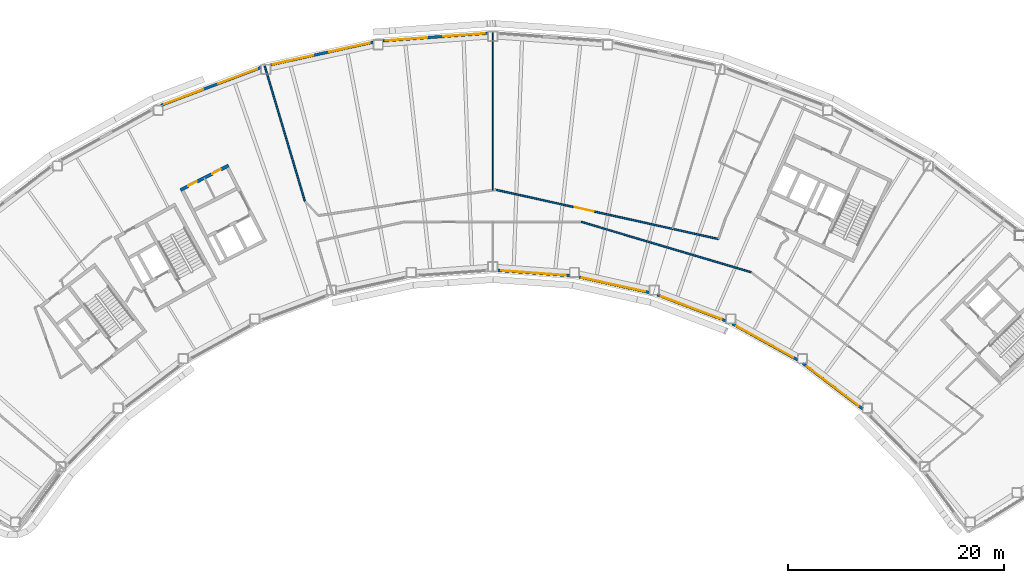
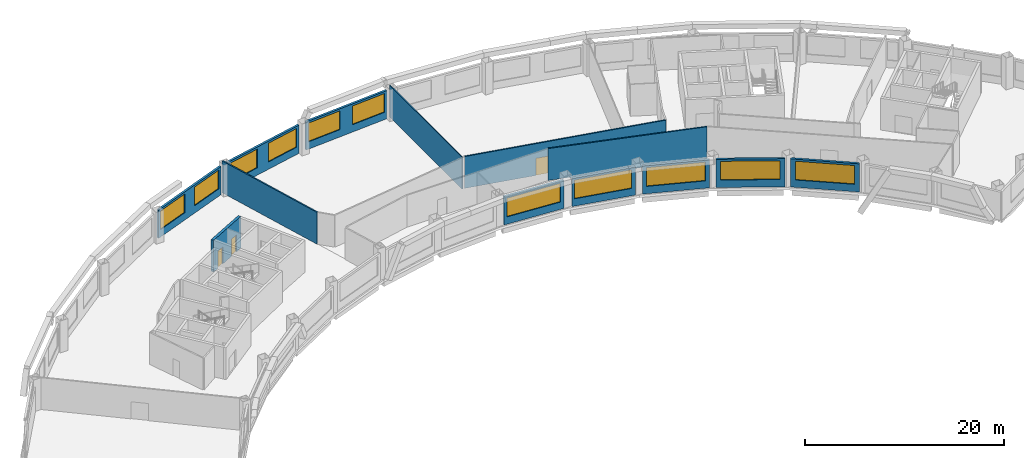
# One storey, part 7 of 12: 13 walls, 11 windows, 3 doors, 14 openings.
"""IFC4 building model written with IfcOpenShell, lengths in metres."""

import ifcopenshell
import ifcopenshell.guid

model = None  # the IFC model being written
_history = None  # IfcOwnerHistory: only IFC2X3 demands one
_inside = {}  # id of a spatial element -> (the spatial element, [elements in it])
_under = {}  # id of a project, library or spatial element -> (it, [spatial elements below it])
_declared = {}  # id of a project -> (the project, [libraries it declares])
_typed = {}  # id of a type object -> (the type object, [elements of that type])
_made_of = {}  # id of a material, layer set ... -> (it, [elements and type objects made of it])


def new_model(schema):
    """Start an empty IFC model of exactly this schema.

    Asked for "IFC4X3", IfcOpenShell would pick the latest addendum, in which some entities
    have other attributes; the version numbers below select the first issue.
    IFC2X3 requires an IfcOwnerHistory on every rooted entity: one is made here for all.
    """
    global model, _history
    if schema == "IFC4X3":
        model = ifcopenshell.file(schema_version=(4, 3, 0, 0))
    else:
        model = ifcopenshell.file(schema=schema)
    _inside.clear()
    _under.clear()
    _declared.clear()
    _typed.clear()
    _made_of.clear()
    _history = None
    if model.schema == "IFC2X3":
        org = make("IfcOrganization", Name="unknown")
        user = make(
            "IfcPersonAndOrganization",
            ThePerson=make("IfcPerson", FamilyName="unknown"),
            TheOrganization=org,
        )
        app = make(
            "IfcApplication",
            ApplicationDeveloper=org,
            Version="unknown",
            ApplicationFullName="unknown",
            ApplicationIdentifier="unknown",
        )
        _history = make(
            "IfcOwnerHistory",
            OwningUser=user,
            OwningApplication=app,
            ChangeAction="ADDED",
            CreationDate=0,
        )
    return model


def make(cls, **values):
    """One entity of the class cls with the attributes given. An attribute that is None is left unset."""
    return model.create_entity(
        cls, **{name: value for name, value in values.items() if value is not None}
    )


def rooted(cls, **values):
    """An entity with a GlobalId (a new one), such as an element, a storey or a relation."""
    return make(cls, GlobalId=ifcopenshell.guid.new(), OwnerHistory=_history, **values)


def si_unit(unit_type, name, prefix=None):
    """IfcSIUnit, for example si_unit("LENGTHUNIT", "METRE", prefix="MILLI")."""
    return make("IfcSIUnit", UnitType=unit_type, Prefix=prefix, Name=name)


def assignment(units):
    """IfcUnitAssignment: the units of a project."""
    return None if units is None else make("IfcUnitAssignment", Units=units)


def point(xyz):
    """IfcCartesianPoint."""
    return None if xyz is None else make("IfcCartesianPoint", Coordinates=xyz)


def direction(xyz):
    """IfcDirection."""
    return None if xyz is None else make("IfcDirection", DirectionRatios=xyz)


def frame(location, z_axis=None, x_axis=None):
    """IfcAxis2Placement3D, a coordinate frame: its origin and axes. An axis left out is left unset."""
    return make(
        "IfcAxis2Placement3D",
        Location=point(location),
        Axis=direction(z_axis),
        RefDirection=direction(x_axis),
    )


def frame_2d(location, x_axis=None):
    """IfcAxis2Placement2D, a coordinate frame in the plane: its origin and x axis."""
    return make(
        "IfcAxis2Placement2D", Location=point(location), RefDirection=direction(x_axis)
    )


def origin():
    """The frame at (0, 0, 0) with its axes left unset."""
    return frame((0.0, 0.0, 0.0))


def place(relative_to, where):
    """IfcLocalPlacement: puts the frame where relative to a parent placement (None: the world)."""
    return make(
        "IfcLocalPlacement", PlacementRelTo=relative_to, RelativePlacement=where
    )


def context(
    kind, dimensions, precision=None, world=None, true_north=None, identifier=None
):
    """IfcGeometricRepresentationContext, for example the 3D "Model" context."""
    return make(
        "IfcGeometricRepresentationContext",
        ContextIdentifier=identifier,
        ContextType=kind,
        CoordinateSpaceDimension=dimensions,
        Precision=precision,
        WorldCoordinateSystem=world,
        TrueNorth=true_north,
    )


def subcontext(parent, identifier, kind, view, scale=None):
    """IfcGeometricRepresentationSubContext, for example "Body" below "Model"."""
    return make(
        "IfcGeometricRepresentationSubContext",
        ContextIdentifier=identifier,
        ContextType=kind,
        ParentContext=parent,
        TargetScale=scale,
        TargetView=view,
    )


def project(units=None, contexts=None):
    """IfcProject with its units and contexts."""
    return rooted(
        "IfcProject",
        Name="project",
        RepresentationContexts=contexts,
        UnitsInContext=assignment(units),
    )


def spatial(cls, under=None, at=None, **own):
    """A site, building, storey or space (cls), placed at a placement, below another one or the project."""
    s = rooted(cls, ObjectPlacement=at, **own)
    if under is not None:
        _under.setdefault(under.id(), (under, []))[1].append(s)
    return s


def profile(cls, at=None, kind="AREA", **sizes):
    """A parametric profile (cls). Its sizes go by their IFC names, for example OverallWidth=200.0."""
    return make(cls, ProfileType=kind, Position=at, **sizes)


def rectangle(**sizes):
    """IfcRectangleProfileDef."""
    return profile("IfcRectangleProfileDef", **sizes)


def extrude(swept, where, along, depth):
    """IfcExtrudedAreaSolid: the profile swept, set in the frame where, extruded along a direction by depth."""
    return make(
        "IfcExtrudedAreaSolid",
        SweptArea=swept,
        Position=where,
        ExtrudedDirection=direction(along),
        Depth=depth,
    )


def shape(context_of_items, identifier, shape_type, items):
    """IfcShapeRepresentation: the items that make up one representation, for example the "Body"."""
    return make(
        "IfcShapeRepresentation",
        ContextOfItems=context_of_items,
        RepresentationIdentifier=identifier,
        RepresentationType=shape_type,
        Items=items,
    )


def material(Name=None, Category=None):
    """IfcMaterial."""
    return make("IfcMaterial", Name=Name, Category=Category)


def layer(
    of_material, thickness, ventilated=None, Name=None, Category=None, Priority=None
):
    """IfcMaterialLayer: one layer of a wall or slab, of a material (None: an air gap)."""
    return make(
        "IfcMaterialLayer",
        Material=of_material,
        LayerThickness=thickness,
        IsVentilated=ventilated,
        Name=Name,
        Category=Category,
        Priority=Priority,
    )


def layer_set(layers, Name=None):
    """IfcMaterialLayerSet."""
    return make("IfcMaterialLayerSet", MaterialLayers=layers, LayerSetName=Name)


def made_of(thing, what):
    """Note that an element or type object is made of a material, layer set ...; save() writes the relation."""
    if what is not None:
        _made_of.setdefault(what.id(), (what, []))[1].append(thing)
    return thing


def type_object(cls, material=None, **own):
    """A type object (cls), such as IfcWallType, which elements share."""
    return made_of(rooted(cls, **own), material)


def element(
    cls,
    number,
    at=None,
    inside=None,
    cuts=None,
    type_object=None,
    material=None,
    context=None,
    identifier="Body",
    shape_type=None,
    held_by="IfcProductDefinitionShape",
    body=None,
    shapes=None,
    **own,
):
    """One element of the class cls, such as IfcWall. Its Tag is "e" and its number.

    at: its placement. inside: the storey or other place that contains it. cuts: it is an
    opening in that element (IfcRelVoidsElement). A single representation is given by context,
    identifier, shape_type and body (its items); several are given by shapes. held_by: the class
    of the entity that holds the representations. save() writes the other relations.
    """
    e = rooted(cls, Tag="e%d" % number, ObjectPlacement=at, **own)
    if body is not None:
        shapes = [shape(context, identifier, shape_type, body)]
    if shapes is not None:
        e.Representation = make(held_by, Representations=shapes)
    if inside is not None:
        _inside.setdefault(inside.id(), (inside, []))[1].append(e)
    if cuts is not None:
        rooted(
            "IfcRelVoidsElement", RelatingBuildingElement=cuts, RelatedOpeningElement=e
        )
    if type_object is not None:
        _typed.setdefault(type_object.id(), (type_object, []))[1].append(e)
    return made_of(e, material)


def fill(opening, filler):
    """IfcRelFillsElement: the door or window that sits in an opening."""
    return rooted(
        "IfcRelFillsElement",
        RelatingOpeningElement=opening,
        RelatedBuildingElement=filler,
    )


def aggregate(whole, parts):
    """IfcRelAggregates: a whole, such as a stair, and the parts it consists of."""
    return rooted("IfcRelAggregates", RelatingObject=whole, RelatedObjects=parts)


def save(model, path):
    """Write the relations noted so far, then the file.

    IfcRelAggregates (storeys below a building ...), IfcRelContainedInSpatialStructure (elements
    in a storey), IfcRelDefinesByType, IfcRelAssociatesMaterial and IfcRelDeclares: one each for
    every whole, place, type object, material and project.
    """
    for whole, parts in _under.values():
        aggregate(whole, parts)
    for where, things in _inside.values():
        rooted(
            "IfcRelContainedInSpatialStructure",
            RelatedElements=things,
            RelatingStructure=where,
        )
    for kind, things in _typed.values():
        rooted("IfcRelDefinesByType", RelatedObjects=things, RelatingType=kind)
    for what, things in _made_of.values():
        rooted("IfcRelAssociatesMaterial", RelatedObjects=things, RelatingMaterial=what)
    for by, libraries in _declared.values():
        rooted("IfcRelDeclares", RelatingContext=by, RelatedDefinitions=libraries)
    model.write(path)


model = new_model("IFC4")

# Units and contexts
model_context = context("Model", 3, precision=1e-05, world=origin(), true_north=direction((0.0, 1.0)))
body_context = subcontext(model_context, "Body", "Model", "MODEL_VIEW")
ifc_project = project(units=[si_unit("LENGTHUNIT", "METRE"), si_unit("AREAUNIT", "SQUARE_METRE"), si_unit("VOLUMEUNIT", "CUBIC_METRE"), si_unit("PLANEANGLEUNIT", "RADIAN"), si_unit("MASSUNIT", "GRAM", prefix="KILO")], contexts=[model_context])

# Site, building, storey
site_placement = place(None, origin())
site = spatial("IfcSite", under=ifc_project, at=site_placement, CompositionType="ELEMENT")
building_placement = place(site_placement, origin())
building = spatial("IfcBuilding", under=site, at=building_placement, Name="Tuul Gate Civic Tower", CompositionType="ELEMENT")
storey_placement = place(building_placement, frame((0.0, 0.0, 193.10009765625)))
storey = spatial("IfcBuildingStorey", under=building, at=storey_placement, Name="Level 44", CompositionType="ELEMENT", Elevation=193.10009765625)

# Wall
ifc_material_1 = material(Name="Gypsum board partition")
ifc_layer_1 = layer(ifc_material_1, 0.14990234375)
ifc_layer_set_1 = layer_set([ifc_layer_1], Name="Gypsum board partition")
wall_type_1 = type_object("IfcWallType", Name="Corridor wall P150", PredefinedType="PARTITIONING", material=ifc_layer_set_1)
wall_1_placement = place(storey_placement, frame((9.199462890625, -3.59765625, 0.0), z_axis=(0.0, 0.0, 1.0), x_axis=(0.958779221767, -0.284152078837, 0.0)))
element("IfcWall", 1, at=wall_1_placement, inside=storey, type_object=wall_type_1, Name="p015", PredefinedType="PARTITIONING", context=body_context, shape_type="SweptSolid", body=[
    extrude(rectangle(XDim=16.429443359375, YDim=0.14990234375, at=frame_2d((8.21484375, 0.0))), origin(), (0.0, 0.0, 1.0), 3.89990234375),
])

# Wall, opening, door
wall_2_placement = place(storey_placement, frame((1.247802734375, -0.615234375, 0.0), z_axis=(0.0, 0.0, 1.0), x_axis=(0.976414514338, -0.215904368161, 0.0)))
wall_2 = element("IfcWall", 2, at=wall_2_placement, inside=storey, type_object=wall_type_1, Name="p024", PredefinedType="PARTITIONING", context=body_context, shape_type="SweptSolid", body=[
    extrude(rectangle(XDim=21.189697265625, YDim=0.14990234375, at=frame_2d((10.5947265625, 0.0))), origin(), (0.0, 0.0, 1.0), 3.89990234375),
])
opening_1_placement = place(wall_2_placement, frame((7.5068359375, 0.0, 0.0)))
opening_1 = element("IfcOpeningElement", 3, at=opening_1_placement, cuts=wall_2, Name="Opening P-D06", PredefinedType="OPENING", context=body_context, shape_type="SweptSolid", body=[
    extrude(rectangle(XDim=1.800048828125, YDim=2.10009765625, at=frame_2d((0.89990234375, 1.050048828125))), frame((0.0, 0.0849609375, 0.0), z_axis=(0.0, -1.0, 0.0), x_axis=(1.0, 0.0, 0.0)), (0.0, 0.0, 1.0), 0.169921875),
])
ifc_material_2 = material(Name="Timber door leaf, double", Category="wood")
door_type_1 = type_object("IfcDoorType", Name="Door D18", OperationType="DOUBLE_DOOR_SINGLE_SWING", PredefinedType="DOOR", material=ifc_material_2)
door_1_placement = place(opening_1_placement, origin())
door_1 = element("IfcDoor", 4, at=door_1_placement, inside=storey, type_object=door_type_1, Name="Door P-D06", OperationType="DOUBLE_DOOR_SINGLE_SWING", OverallHeight=2.10009765625, OverallWidth=1.800048828125, PredefinedType="DOOR", context=body_context, shape_type="SweptSolid", body=[
    extrude(rectangle(XDim=1.800048828125, YDim=2.10009765625, at=frame_2d((0.89990234375, 1.050048828125))), frame((0.0, 0.02490234375, 0.0), z_axis=(0.0, -1.0, 0.0), x_axis=(1.0, 0.0, 0.0)), (0.0, 0.0, 1.0), 0.050048828125),
])
fill(opening_1, door_1)

# Wall
wall_3_placement = place(storey_placement, frame((-20.18115234375, 10.863525390625, 0.0), z_axis=(0.0, 0.0, 1.0), x_axis=(0.285216495804, -0.95846311902, 0.0)))
element("IfcWall", 5, at=wall_3_placement, inside=storey, type_object=wall_type_1, Name="p027", PredefinedType="PARTITIONING", context=body_context, shape_type="SweptSolid", body=[
    extrude(rectangle(XDim=13.09814453125, YDim=0.14990234375, at=frame_2d((6.549072265625, 0.0))), origin(), (0.0, 0.0, 1.0), 3.89990234375),
])

# Wall, openings, windows
ifc_material_3 = material(Name="Precast concrete C40/50", Category="concrete")
ifc_layer_2 = layer(ifc_material_3, 0.25)
ifc_layer_set_2 = layer_set([ifc_layer_2], Name="Precast concrete C40/50")
wall_type_2 = type_object("IfcWallType", Name="External wall", PredefinedType="STANDARD", material=ifc_layer_set_2)
wall_4_placement = place(storey_placement, frame((0.5400390625, 13.9091796875, 0.0), z_axis=(0.0, 0.0, 1.0), x_axis=(-0.997386439479, -0.072251576758, 0.0)))
wall_4 = element("IfcWall", 6, at=wall_4_placement, inside=storey, type_object=wall_type_2, Name="External wall", PredefinedType="STANDARD", context=body_context, shape_type="SweptSolid", body=[
    extrude(rectangle(XDim=9.775634765625, YDim=0.25, at=frame_2d((4.8876953125, 0.0))), origin(), (0.0, 0.0, 1.0), 3.449951171875),
])
opening_2_placement = place(wall_4_placement, frame((0.300537109375, 0.0, 0.89990234375)))
opening_2 = element("IfcOpeningElement", 7, at=opening_2_placement, cuts=wall_4, Name="Opening W22", PredefinedType="OPENING", context=body_context, shape_type="SweptSolid", body=[
    extrude(rectangle(XDim=3.85009765625, YDim=2.300048828125, at=frame_2d((1.925048828125, 1.14990234375))), frame((0.0, 0.135009765625, 0.0), z_axis=(0.0, -1.0, 0.0), x_axis=(1.0, 0.0, 0.0)), (0.0, 0.0, 1.0), 0.27001953125),
])
opening_3_placement = place(wall_4_placement, frame((5.672119140625, 0.0, 0.89990234375)))
opening_3 = element("IfcOpeningElement", 8, at=opening_3_placement, cuts=wall_4, Name="Opening W22", PredefinedType="OPENING", context=body_context, shape_type="SweptSolid", body=[
    extrude(rectangle(XDim=3.85009765625, YDim=2.300048828125, at=frame_2d((1.925048828125, 1.14990234375))), frame((0.0, 0.135009765625, 0.0), z_axis=(0.0, -1.0, 0.0), x_axis=(1.0, 0.0, 0.0)), (0.0, 0.0, 1.0), 0.27001953125),
])
ifc_material_4 = material(Name="Glass", Category="glass")
window_type_1 = type_object("IfcWindowType", Name="Window W22 3850 x 2300", PartitioningType="SINGLE_PANEL", PredefinedType="WINDOW", material=ifc_material_4)
window_1_placement = place(opening_2_placement, origin())
window_1 = element("IfcWindow", 9, at=window_1_placement, inside=storey, type_object=window_type_1, Name="Window", OverallHeight=2.300048828125, OverallWidth=3.85009765625, PartitioningType="SINGLE_PANEL", PredefinedType="WINDOW", context=body_context, shape_type="SweptSolid", body=[
    extrude(rectangle(XDim=3.85009765625, YDim=2.300048828125, at=frame_2d((1.925048828125, 1.14990234375))), frame((0.0, 0.030029296875, 0.0), z_axis=(0.0, -1.0, 0.0), x_axis=(1.0, 0.0, 0.0)), (0.0, 0.0, 1.0), 0.06005859375),
])
fill(opening_2, window_1)
window_2_placement = place(opening_3_placement, origin())
window_2 = element("IfcWindow", 10, at=window_2_placement, inside=storey, type_object=window_type_1, Name="Window", OverallHeight=2.300048828125, OverallWidth=3.85009765625, PartitioningType="SINGLE_PANEL", PredefinedType="WINDOW", context=body_context, shape_type="SweptSolid", body=[
    extrude(rectangle(XDim=3.85009765625, YDim=2.300048828125, at=frame_2d((1.925048828125, 1.14990234375))), frame((0.0, 0.030029296875, 0.0), z_axis=(0.0, -1.0, 0.0), x_axis=(1.0, 0.0, 0.0)), (0.0, 0.0, 1.0), 0.06005859375),
])
fill(opening_3, window_2)

wall_5_placement = place(storey_placement, frame((-10.110107421875, 13.078125, 0.0), z_axis=(0.0, 0.0, 1.0), x_axis=(-0.976559525993, -0.215247513789, 0.0)))
wall_5 = element("IfcWall", 11, at=wall_5_placement, inside=storey, type_object=wall_type_2, Name="External wall", PredefinedType="STANDARD", context=body_context, shape_type="SweptSolid", body=[
    extrude(rectangle(XDim=9.755615234375, YDim=0.25, at=frame_2d((4.8779296875, 0.0))), origin(), (0.0, 0.0, 1.0), 3.449951171875),
])
opening_4_placement = place(wall_5_placement, frame((0.338623046875, 0.0, 0.89990234375)))
opening_4 = element("IfcOpeningElement", 12, at=opening_4_placement, cuts=wall_5, Name="Opening W22", PredefinedType="OPENING", context=body_context, shape_type="SweptSolid", body=[
    extrude(rectangle(XDim=3.85009765625, YDim=2.300048828125, at=frame_2d((1.925048828125, 1.14990234375))), frame((0.0, 0.135009765625, 0.0), z_axis=(0.0, -1.0, 0.0), x_axis=(1.0, 0.0, 0.0)), (0.0, 0.0, 1.0), 0.27001953125),
])
opening_5_placement = place(wall_5_placement, frame((5.70947265625, 0.0, 0.89990234375)))
opening_5 = element("IfcOpeningElement", 13, at=opening_5_placement, cuts=wall_5, Name="Opening W22", PredefinedType="OPENING", context=body_context, shape_type="SweptSolid", body=[
    extrude(rectangle(XDim=3.85009765625, YDim=2.300048828125, at=frame_2d((1.925048828125, 1.14990234375))), frame((0.0, 0.135009765625, 0.0), z_axis=(0.0, -1.0, 0.0), x_axis=(1.0, 0.0, 0.0)), (0.0, 0.0, 1.0), 0.27001953125),
])
window_3_placement = place(opening_4_placement, origin())
window_3 = element("IfcWindow", 14, at=window_3_placement, inside=storey, type_object=window_type_1, Name="Window", OverallHeight=2.300048828125, OverallWidth=3.85009765625, PartitioningType="SINGLE_PANEL", PredefinedType="WINDOW", context=body_context, shape_type="SweptSolid", body=[
    extrude(rectangle(XDim=3.85009765625, YDim=2.300048828125, at=frame_2d((1.925048828125, 1.14990234375))), frame((0.0, 0.030029296875, 0.0), z_axis=(0.0, -1.0, 0.0), x_axis=(1.0, 0.0, 0.0)), (0.0, 0.0, 1.0), 0.06005859375),
])
fill(opening_4, window_3)
window_4_placement = place(opening_5_placement, origin())
window_4 = element("IfcWindow", 15, at=window_4_placement, inside=storey, type_object=window_type_1, Name="Window", OverallHeight=2.300048828125, OverallWidth=3.85009765625, PartitioningType="SINGLE_PANEL", PredefinedType="WINDOW", context=body_context, shape_type="SweptSolid", body=[
    extrude(rectangle(XDim=3.85009765625, YDim=2.300048828125, at=frame_2d((1.925048828125, 1.14990234375))), frame((0.0, 0.030029296875, 0.0), z_axis=(0.0, -1.0, 0.0), x_axis=(1.0, 0.0, 0.0)), (0.0, 0.0, 1.0), 0.06005859375),
])
fill(opening_5, window_4)

wall_6_placement = place(storey_placement, frame((-20.537109375, 10.7236328125, 0.0), z_axis=(0.0, 0.0, 1.0), x_axis=(-0.935342915264, -0.353742322694, 0.0)))
wall_6 = element("IfcWall", 16, at=wall_6_placement, inside=storey, type_object=wall_type_2, Name="External wall", PredefinedType="STANDARD", context=body_context, shape_type="SweptSolid", body=[
    extrude(rectangle(XDim=9.904541015625, YDim=0.25, at=frame_2d((4.9521484375, 0.0))), origin(), (0.0, 0.0, 1.0), 3.449951171875),
])
opening_6_placement = place(wall_6_placement, frame((0.369140625, 0.0, 0.89990234375)))
opening_6 = element("IfcOpeningElement", 17, at=opening_6_placement, cuts=wall_6, Name="Opening W22", PredefinedType="OPENING", context=body_context, shape_type="SweptSolid", body=[
    extrude(rectangle(XDim=3.85009765625, YDim=2.300048828125, at=frame_2d((1.925048828125, 1.14990234375))), frame((0.0, 0.135009765625, 0.0), z_axis=(0.0, -1.0, 0.0), x_axis=(1.0, 0.0, 0.0)), (0.0, 0.0, 1.0), 0.27001953125),
])
opening_7_placement = place(wall_6_placement, frame((5.740478515625, 0.0, 0.89990234375)))
opening_7 = element("IfcOpeningElement", 18, at=opening_7_placement, cuts=wall_6, Name="Opening W22", PredefinedType="OPENING", context=body_context, shape_type="SweptSolid", body=[
    extrude(rectangle(XDim=3.85009765625, YDim=2.300048828125, at=frame_2d((1.925048828125, 1.14990234375))), frame((0.0, 0.135009765625, 0.0), z_axis=(0.0, -1.0, 0.0), x_axis=(1.0, 0.0, 0.0)), (0.0, 0.0, 1.0), 0.27001953125),
])
window_5_placement = place(opening_6_placement, origin())
window_5 = element("IfcWindow", 19, at=window_5_placement, inside=storey, type_object=window_type_1, Name="Window", OverallHeight=2.300048828125, OverallWidth=3.85009765625, PartitioningType="SINGLE_PANEL", PredefinedType="WINDOW", context=body_context, shape_type="SweptSolid", body=[
    extrude(rectangle(XDim=3.85009765625, YDim=2.300048828125, at=frame_2d((1.925048828125, 1.14990234375))), frame((0.0, 0.030029296875, 0.0), z_axis=(0.0, -1.0, 0.0), x_axis=(1.0, 0.0, 0.0)), (0.0, 0.0, 1.0), 0.06005859375),
])
fill(opening_6, window_5)
window_6_placement = place(opening_7_placement, origin())
window_6 = element("IfcWindow", 20, at=window_6_placement, inside=storey, type_object=window_type_1, Name="Window", OverallHeight=2.300048828125, OverallWidth=3.85009765625, PartitioningType="SINGLE_PANEL", PredefinedType="WINDOW", context=body_context, shape_type="SweptSolid", body=[
    extrude(rectangle(XDim=3.85009765625, YDim=2.300048828125, at=frame_2d((1.925048828125, 1.14990234375))), frame((0.0, 0.030029296875, 0.0), z_axis=(0.0, -1.0, 0.0), x_axis=(1.0, 0.0, 0.0)), (0.0, 0.0, 1.0), 0.06005859375),
])
fill(opening_7, window_6)

# Wall, opening, window
wall_7_placement = place(storey_placement, frame((1.43994140625, -8.098388671875, 0.0), z_axis=(0.0, 0.0, 1.0), x_axis=(0.99738574908, -0.072261106633, 0.0)))
wall_7 = element("IfcWall", 21, at=wall_7_placement, inside=storey, type_object=wall_type_2, Name="External wall", PredefinedType="STANDARD", context=body_context, shape_type="SweptSolid", body=[
    extrude(rectangle(XDim=6.689697265625, YDim=0.25, at=frame_2d((3.3447265625, 0.0))), origin(), (0.0, 0.0, 1.0), 3.449951171875),
])
opening_8_placement = place(wall_7_placement, frame((0.3212890625, 0.0, 0.89990234375)))
opening_8 = element("IfcOpeningElement", 22, at=opening_8_placement, cuts=wall_7, Name="Opening W26", PredefinedType="OPENING", context=body_context, shape_type="SweptSolid", body=[
    extrude(rectangle(XDim=6.0, YDim=2.300048828125, at=frame_2d((3.0, 1.14990234375))), frame((0.0, 0.135009765625, 0.0), z_axis=(0.0, -1.0, 0.0), x_axis=(1.0, 0.0, 0.0)), (0.0, 0.0, 1.0), 0.27001953125),
])
ifc_material_5 = material(Name="Glass", Category="glass")
window_type_2 = type_object("IfcWindowType", Name="Window W26 6000 x 2300", PartitioningType="SINGLE_PANEL", PredefinedType="WINDOW", material=ifc_material_5)
window_7_placement = place(opening_8_placement, origin())
window_7 = element("IfcWindow", 23, at=window_7_placement, inside=storey, type_object=window_type_2, Name="Window", OverallHeight=2.300048828125, OverallWidth=6.0, PartitioningType="SINGLE_PANEL", PredefinedType="WINDOW", context=body_context, shape_type="SweptSolid", body=[
    extrude(rectangle(XDim=6.0, YDim=2.300048828125, at=frame_2d((3.0, 1.14990234375))), frame((0.0, 0.030029296875, 0.0), z_axis=(0.0, -1.0, 0.0), x_axis=(1.0, 0.0, 0.0)), (0.0, 0.0, 1.0), 0.06005859375),
])
fill(opening_8, window_7)

wall_8_placement = place(storey_placement, frame((9.011962890625, -8.720458984375, 0.0), z_axis=(0.0, 0.0, 1.0), x_axis=(0.976558520258, -0.21525207667, 0.0)))
wall_8 = element("IfcWall", 24, at=wall_8_placement, inside=storey, type_object=wall_type_2, Name="External wall", PredefinedType="STANDARD", context=body_context, shape_type="SweptSolid", body=[
    extrude(rectangle(XDim=6.670166015625, YDim=0.25, at=frame_2d((3.3349609375, 0.0))), origin(), (0.0, 0.0, 1.0), 3.449951171875),
])
opening_9_placement = place(wall_8_placement, frame((0.263427734375, 0.0, 0.89990234375)))
opening_9 = element("IfcOpeningElement", 25, at=opening_9_placement, cuts=wall_8, Name="Opening W26", PredefinedType="OPENING", context=body_context, shape_type="SweptSolid", body=[
    extrude(rectangle(XDim=6.0, YDim=2.300048828125, at=frame_2d((3.0, 1.14990234375))), frame((0.0, 0.135009765625, 0.0), z_axis=(0.0, -1.0, 0.0), x_axis=(1.0, 0.0, 0.0)), (0.0, 0.0, 1.0), 0.27001953125),
])
window_8_placement = place(opening_9_placement, origin())
window_8 = element("IfcWindow", 26, at=window_8_placement, inside=storey, type_object=window_type_2, Name="Window", OverallHeight=2.300048828125, OverallWidth=6.0, PartitioningType="SINGLE_PANEL", PredefinedType="WINDOW", context=body_context, shape_type="SweptSolid", body=[
    extrude(rectangle(XDim=6.0, YDim=2.300048828125, at=frame_2d((3.0, 1.14990234375))), frame((0.0, 0.030029296875, 0.0), z_axis=(0.0, -1.0, 0.0), x_axis=(1.0, 0.0, 0.0)), (0.0, 0.0, 1.0), 0.06005859375),
])
fill(opening_9, window_8)

wall_9_placement = place(storey_placement, frame((16.248046875, -10.373046875, 0.0), z_axis=(0.0, 0.0, 1.0), x_axis=(0.935360534404, -0.353695731779, 0.0)))
wall_9 = element("IfcWall", 27, at=wall_9_placement, inside=storey, type_object=wall_type_2, Name="External wall", PredefinedType="STANDARD", context=body_context, shape_type="SweptSolid", body=[
    extrude(rectangle(XDim=6.81982421875, YDim=0.25, at=frame_2d((3.409912109375, 0.0))), origin(), (0.0, 0.0, 1.0), 3.449951171875),
])
opening_10_placement = place(wall_9_placement, frame((0.3818359375, 0.0, 0.89990234375)))
opening_10 = element("IfcOpeningElement", 28, at=opening_10_placement, cuts=wall_9, Name="Opening W26", PredefinedType="OPENING", context=body_context, shape_type="SweptSolid", body=[
    extrude(rectangle(XDim=6.0, YDim=2.300048828125, at=frame_2d((3.0, 1.14990234375))), frame((0.0, 0.135009765625, 0.0), z_axis=(0.0, -1.0, 0.0), x_axis=(1.0, 0.0, 0.0)), (0.0, 0.0, 1.0), 0.27001953125),
])
window_9_placement = place(opening_10_placement, origin())
window_9 = element("IfcWindow", 29, at=window_9_placement, inside=storey, type_object=window_type_2, Name="Window", OverallHeight=2.300048828125, OverallWidth=6.0, PartitioningType="SINGLE_PANEL", PredefinedType="WINDOW", context=body_context, shape_type="SweptSolid", body=[
    extrude(rectangle(XDim=6.0, YDim=2.300048828125, at=frame_2d((3.0, 1.14990234375))), frame((0.0, 0.030029296875, 0.0), z_axis=(0.0, -1.0, 0.0), x_axis=(1.0, 0.0, 0.0)), (0.0, 0.0, 1.0), 0.06005859375),
])
fill(opening_10, window_9)

wall_10_placement = place(storey_placement, frame((23.21875, -13.05810546875, 0.0), z_axis=(0.0, 0.0, 1.0), x_axis=(0.874638200543, -0.484776255763, 0.0)))
wall_10 = element("IfcWall", 30, at=wall_10_placement, inside=storey, type_object=wall_type_2, Name="External wall", PredefinedType="STANDARD", context=body_context, shape_type="SweptSolid", body=[
    extrude(rectangle(XDim=6.9140625, YDim=0.25, at=frame_2d((3.45703125, 0.0))), origin(), (0.0, 0.0, 1.0), 3.449951171875),
])
opening_11_placement = place(wall_10_placement, frame((0.453369140625, 0.0, 0.89990234375)))
opening_11 = element("IfcOpeningElement", 31, at=opening_11_placement, cuts=wall_10, Name="Opening W26", PredefinedType="OPENING", context=body_context, shape_type="SweptSolid", body=[
    extrude(rectangle(XDim=6.0, YDim=2.300048828125, at=frame_2d((3.0, 1.14990234375))), frame((0.0, 0.135009765625, 0.0), z_axis=(0.0, -1.0, 0.0), x_axis=(1.0, 0.0, 0.0)), (0.0, 0.0, 1.0), 0.27001953125),
])
window_10_placement = place(opening_11_placement, origin())
window_10 = element("IfcWindow", 32, at=window_10_placement, inside=storey, type_object=window_type_2, Name="Window", OverallHeight=2.300048828125, OverallWidth=6.0, PartitioningType="SINGLE_PANEL", PredefinedType="WINDOW", context=body_context, shape_type="SweptSolid", body=[
    extrude(rectangle(XDim=6.0, YDim=2.300048828125, at=frame_2d((3.0, 1.14990234375))), frame((0.0, 0.030029296875, 0.0), z_axis=(0.0, -1.0, 0.0), x_axis=(1.0, 0.0, 0.0)), (0.0, 0.0, 1.0), 0.06005859375),
])
fill(opening_11, window_10)

wall_11_placement = place(storey_placement, frame((29.770751953125, -16.738037109375, 0.0), z_axis=(0.0, 0.0, 1.0), x_axis=(0.795583108554, -0.605844466331, 0.0)))
wall_11 = element("IfcWall", 33, at=wall_11_placement, inside=storey, type_object=wall_type_2, Name="External wall", PredefinedType="STANDARD", context=body_context, shape_type="SweptSolid", body=[
    extrude(rectangle(XDim=6.95849609375, YDim=0.25, at=frame_2d((3.479248046875, 0.0))), origin(), (0.0, 0.0, 1.0), 3.449951171875),
])
opening_12_placement = place(wall_11_placement, frame((0.480224609375, 0.0, 0.89990234375)))
opening_12 = element("IfcOpeningElement", 34, at=opening_12_placement, cuts=wall_11, Name="Opening W26", PredefinedType="OPENING", context=body_context, shape_type="SweptSolid", body=[
    extrude(rectangle(XDim=6.0, YDim=2.300048828125, at=frame_2d((3.0, 1.14990234375))), frame((0.0, 0.135009765625, 0.0), z_axis=(0.0, -1.0, 0.0), x_axis=(1.0, 0.0, 0.0)), (0.0, 0.0, 1.0), 0.27001953125),
])
window_11_placement = place(opening_12_placement, origin())
window_11 = element("IfcWindow", 35, at=window_11_placement, inside=storey, type_object=window_type_2, Name="Window", OverallHeight=2.300048828125, OverallWidth=6.0, PartitioningType="SINGLE_PANEL", PredefinedType="WINDOW", context=body_context, shape_type="SweptSolid", body=[
    extrude(rectangle(XDim=6.0, YDim=2.300048828125, at=frame_2d((3.0, 1.14990234375))), frame((0.0, 0.030029296875, 0.0), z_axis=(0.0, -1.0, 0.0), x_axis=(1.0, 0.0, 0.0)), (0.0, 0.0, 1.0), 0.06005859375),
])
fill(opening_12, window_11)

# Wall, openings, doors
ifc_material_6 = material(Name="Concrete C40/50", Category="concrete")
ifc_layer_3 = layer(ifc_material_6, 0.300048828125)
ifc_layer_set_3 = layer_set([ifc_layer_3], Name="Concrete C40/50")
wall_type_3 = type_object("IfcWallType", Name="Lift shaft wall C40/50", PredefinedType="STANDARD", material=ifc_layer_set_3)
wall_12_placement = place(storey_placement, frame((-23.544921875, 1.62841796875, 0.0), z_axis=(0.0, 0.0, 1.0), x_axis=(-0.891002976909, -0.453997461601, 0.0)))
wall_12 = element("IfcWall", 36, at=wall_12_placement, inside=storey, type_object=wall_type_3, Name="Shaft wall", PredefinedType="STANDARD", context=body_context, shape_type="SweptSolid", body=[
    extrude(rectangle(XDim=5.0, YDim=0.300048828125, at=frame_2d((2.5, 0.0))), origin(), (0.0, 0.0, 1.0), 3.89990234375),
])
opening_13_placement = place(wall_12_placement, frame((0.800048828125, 0.0, 0.0)))
opening_13 = element("IfcOpeningElement", 37, at=opening_13_placement, cuts=wall_12, Name="Opening P-D17", PredefinedType="OPENING", context=body_context, shape_type="SweptSolid", body=[
    extrude(rectangle(XDim=0.89990234375, YDim=2.10009765625, at=frame_2d((0.449951171875, 1.050048828125))), frame((0.0, 0.16015625, 0.0), z_axis=(0.0, -1.0, 0.0), x_axis=(1.0, 0.0, 0.0)), (0.0, 0.0, 1.0), 0.320068359375),
])
opening_14_placement = place(wall_12_placement, frame((3.300048828125, 0.0, 0.0)))
opening_14 = element("IfcOpeningElement", 38, at=opening_14_placement, cuts=wall_12, Name="Opening P-D18", PredefinedType="OPENING", context=body_context, shape_type="SweptSolid", body=[
    extrude(rectangle(XDim=0.89990234375, YDim=2.10009765625, at=frame_2d((0.449951171875, 1.050048828125))), frame((0.0, 0.16015625, 0.0), z_axis=(0.0, -1.0, 0.0), x_axis=(1.0, 0.0, 0.0)), (0.0, 0.0, 1.0), 0.320068359375),
])
ifc_material_7 = material(Name="Timber door leaf", Category="wood")
door_type_2 = type_object("IfcDoorType", Name="Door D09", OperationType="NOTDEFINED", PredefinedType="DOOR", material=ifc_material_7)
door_2_placement = place(opening_13_placement, origin())
door_2 = element("IfcDoor", 39, at=door_2_placement, inside=storey, type_object=door_type_2, Name="Door P-D17", OperationType="SINGLE_SWING_RIGHT", OverallHeight=2.10009765625, OverallWidth=0.89990234375, PredefinedType="DOOR", context=body_context, shape_type="SweptSolid", body=[
    extrude(rectangle(XDim=0.89990234375, YDim=2.10009765625, at=frame_2d((0.449951171875, 1.050048828125))), frame((0.0, 0.02490234375, 0.0), z_axis=(0.0, -1.0, 0.0), x_axis=(1.0, 0.0, 0.0)), (0.0, 0.0, 1.0), 0.050048828125),
])
fill(opening_13, door_2)
door_3_placement = place(opening_14_placement, origin())
door_3 = element("IfcDoor", 40, at=door_3_placement, inside=storey, type_object=door_type_2, Name="Door P-D18", OperationType="SINGLE_SWING_LEFT", OverallHeight=2.10009765625, OverallWidth=0.89990234375, PredefinedType="DOOR", context=body_context, shape_type="SweptSolid", body=[
    extrude(rectangle(XDim=0.89990234375, YDim=2.10009765625, at=frame_2d((0.449951171875, 1.050048828125))), frame((0.0, 0.02490234375, 0.0), z_axis=(0.0, -1.0, 0.0), x_axis=(1.0, 0.0, 0.0)), (0.0, 0.0, 1.0), 0.050048828125),
])
fill(opening_14, door_3)

# Wall
ifc_material_8 = material(Name="Gypsum board partition")
ifc_layer_4 = layer(ifc_material_8, 0.10009765625)
ifc_layer_set_4 = layer_set([ifc_layer_4], Name="Gypsum board partition")
wall_type_4 = type_object("IfcWallType", Name="Partition P100", PredefinedType="PARTITIONING", material=ifc_layer_set_4)
wall_13_placement = place(storey_placement, frame((0.989990234375, -0.652587890625, 0.0), z_axis=(0.0, 0.0, 1.0), x_axis=(0.0, 1.0, 0.0)))
element("IfcWall", 41, at=wall_13_placement, inside=storey, type_object=wall_type_4, Name="p013", PredefinedType="PARTITIONING", context=body_context, shape_type="SweptSolid", body=[
    extrude(rectangle(XDim=14.599365234375, YDim=0.10009765625, at=frame_2d((7.2998046875, 0.0))), origin(), (0.0, 0.0, 1.0), 3.89990234375),
])

save(model, "model.ifc")
